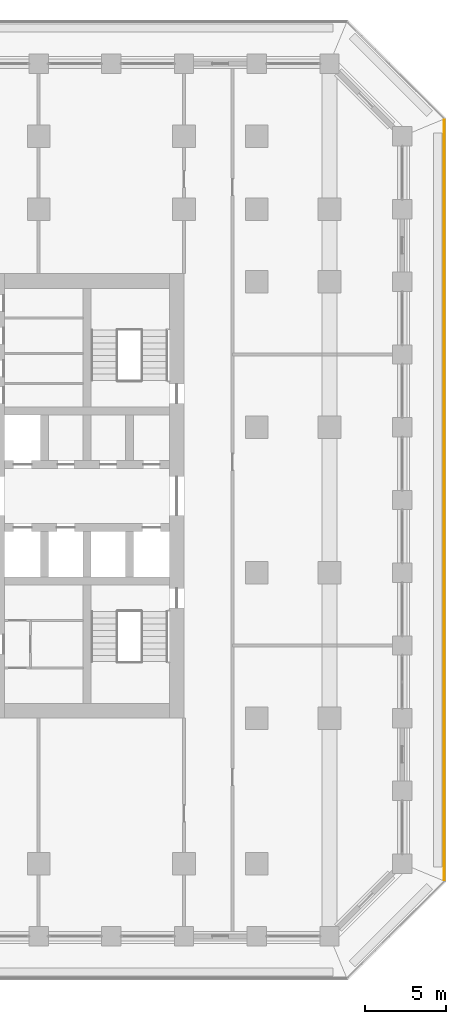
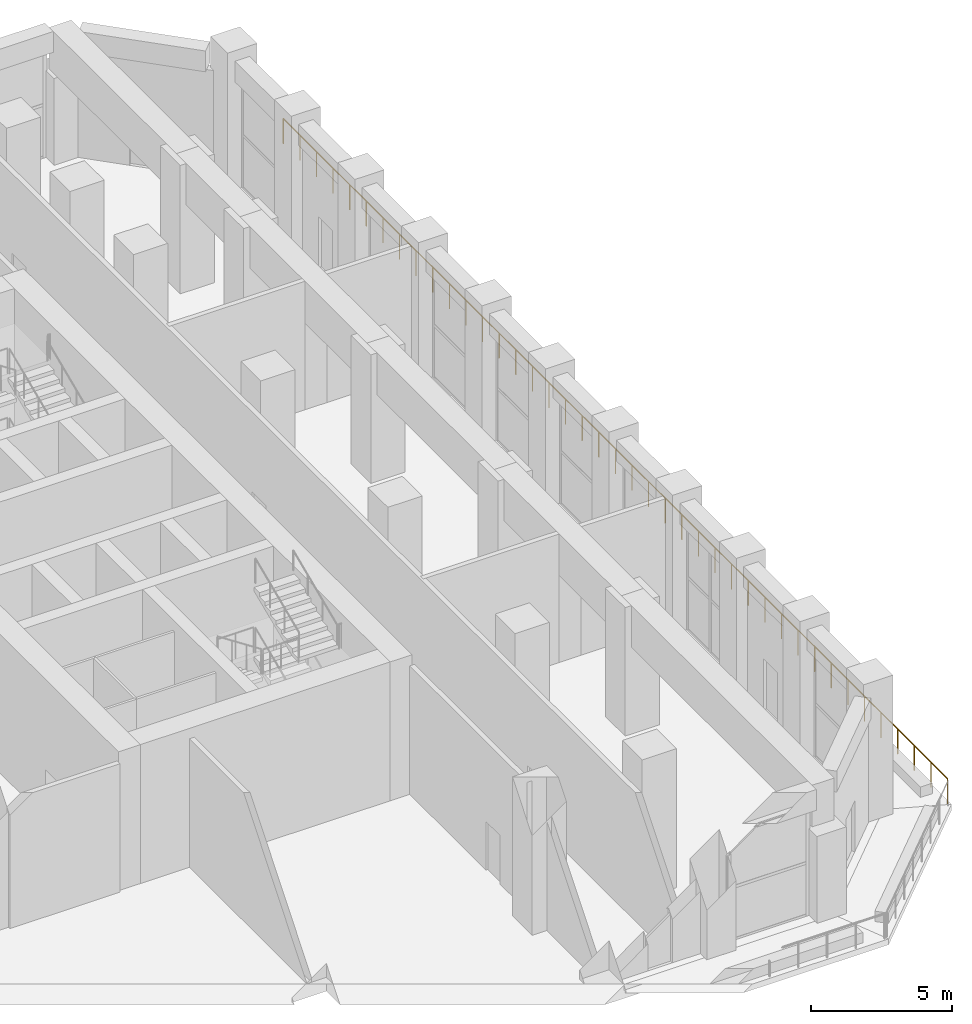
# One storey, part 20 of 24: 1 railing.
"""IFC4 building model written with IfcOpenShell, lengths in metres."""

from ifc_helpers import new_model, si_unit, direction, frame, origin, origin_2d, place, context, subcontext, project, spatial, circle, extrude, material, type_object, element, save


model = new_model("IFC4")

# Units and contexts
model_context = context("Model", 3, precision=1e-05, world=origin(), true_north=direction((0.0, 1.0)))
body_context = subcontext(model_context, "Body", "Model", "MODEL_VIEW")
ifc_project = project(units=[si_unit("LENGTHUNIT", "METRE"), si_unit("AREAUNIT", "SQUARE_METRE"), si_unit("VOLUMEUNIT", "CUBIC_METRE"), si_unit("PLANEANGLEUNIT", "RADIAN"), si_unit("MASSUNIT", "GRAM", prefix="KILO")], contexts=[model_context])

# Site, building, storey
site_placement = place(None, origin())
site = spatial("IfcSite", under=ifc_project, at=site_placement, CompositionType="ELEMENT")
building_placement = place(site_placement, origin())
building = spatial("IfcBuilding", under=site, at=building_placement, Name="Corbel Stack Research Tower", CompositionType="ELEMENT")
storey_placement = place(building_placement, frame((0.0, 0.0, 110.699951171875)))
storey = spatial("IfcBuildingStorey", under=building, at=storey_placement, Name="L25", CompositionType="ELEMENT", Elevation=110.699951171875)

# Railing
ifc_material = material(Name="Powder-coated steel guard", Category="steel")
railing_type = type_object("IfcRailingType", Name="Steel and glass guard 1100", PredefinedType="GUARDRAIL", material=ifc_material)
railing_placement = place(storey_placement, frame((34.10009765625, -19.00537109375, 0.0)))
element("IfcRailing", 1, at=railing_placement, inside=storey, type_object=railing_type, Name="Loggia guard L25 E", PredefinedType="GUARDRAIL", context=body_context, shape_type="SweptSolid", body=[
    extrude(circle(Radius=0.02392578125, at=origin_2d()), frame((0.0, 0.0, 1.076171875), z_axis=(0.0, 1.0, 0.0), x_axis=(-1.0, 0.0, 0.0)), (0.0, 0.0, 1.0), 47.0107421875),
    extrude(circle(Radius=0.02099609375, at=origin_2d()), origin(), (0.0, 0.0, 1.0), 1.052001953125),
    extrude(circle(Radius=0.02099609375, at=origin_2d()), frame((0.0, 1.17529296875, 0.0)), (0.0, 0.0, 1.0), 1.052001953125),
    extrude(circle(Radius=0.02099609375, at=origin_2d()), frame((0.0, 2.3505859375, 0.0)), (0.0, 0.0, 1.0), 1.052001953125),
    extrude(circle(Radius=0.02099609375, at=origin_2d()), frame((0.0, 3.52587890625, 0.0)), (0.0, 0.0, 1.0), 1.052001953125),
    extrude(circle(Radius=0.02099609375, at=origin_2d()), frame((0.0, 4.701171875, 0.0)), (0.0, 0.0, 1.0), 1.052001953125),
    extrude(circle(Radius=0.02099609375, at=origin_2d()), frame((0.0, 5.87646484375, 0.0)), (0.0, 0.0, 1.0), 1.052001953125),
    extrude(circle(Radius=0.02099609375, at=origin_2d()), frame((0.0, 7.051513671875, 0.0)), (0.0, 0.0, 1.0), 1.052001953125),
    extrude(circle(Radius=0.02099609375, at=origin_2d()), frame((0.0, 8.226806640625, 0.0)), (0.0, 0.0, 1.0), 1.052001953125),
    extrude(circle(Radius=0.02099609375, at=origin_2d()), frame((0.0, 9.402099609375, 0.0)), (0.0, 0.0, 1.0), 1.052001953125),
    extrude(circle(Radius=0.02099609375, at=origin_2d()), frame((0.0, 10.577392578125, 0.0)), (0.0, 0.0, 1.0), 1.052001953125),
    extrude(circle(Radius=0.02099609375, at=origin_2d()), frame((0.0, 11.752685546875, 0.0)), (0.0, 0.0, 1.0), 1.052001953125),
    extrude(circle(Radius=0.02099609375, at=origin_2d()), frame((0.0, 12.927978515625, 0.0)), (0.0, 0.0, 1.0), 1.052001953125),
    extrude(circle(Radius=0.02099609375, at=origin_2d()), frame((0.0, 14.103271484375, 0.0)), (0.0, 0.0, 1.0), 1.052001953125),
    extrude(circle(Radius=0.02099609375, at=origin_2d()), frame((0.0, 15.278564453125, 0.0)), (0.0, 0.0, 1.0), 1.052001953125),
    extrude(circle(Radius=0.02099609375, at=origin_2d()), frame((0.0, 16.453857421875, 0.0)), (0.0, 0.0, 1.0), 1.052001953125),
    extrude(circle(Radius=0.02099609375, at=origin_2d()), frame((0.0, 17.62890625, 0.0)), (0.0, 0.0, 1.0), 1.052001953125),
    extrude(circle(Radius=0.02099609375, at=origin_2d()), frame((0.0, 18.80419921875, 0.0)), (0.0, 0.0, 1.0), 1.052001953125),
    extrude(circle(Radius=0.02099609375, at=origin_2d()), frame((0.0, 19.9794921875, 0.0)), (0.0, 0.0, 1.0), 1.052001953125),
    extrude(circle(Radius=0.02099609375, at=origin_2d()), frame((0.0, 21.15478515625, 0.0)), (0.0, 0.0, 1.0), 1.052001953125),
    extrude(circle(Radius=0.02099609375, at=origin_2d()), frame((0.0, 22.330078125, 0.0)), (0.0, 0.0, 1.0), 1.052001953125),
    extrude(circle(Radius=0.02099609375, at=origin_2d()), frame((0.0, 23.50537109375, 0.0)), (0.0, 0.0, 1.0), 1.052001953125),
    extrude(circle(Radius=0.02099609375, at=origin_2d()), frame((0.0, 24.6806640625, 0.0)), (0.0, 0.0, 1.0), 1.052001953125),
    extrude(circle(Radius=0.02099609375, at=origin_2d()), frame((0.0, 25.85595703125, 0.0)), (0.0, 0.0, 1.0), 1.052001953125),
    extrude(circle(Radius=0.02099609375, at=origin_2d()), frame((0.0, 27.03125, 0.0)), (0.0, 0.0, 1.0), 1.052001953125),
    extrude(circle(Radius=0.02099609375, at=origin_2d()), frame((0.0, 28.20654296875, 0.0)), (0.0, 0.0, 1.0), 1.052001953125),
    extrude(circle(Radius=0.02099609375, at=origin_2d()), frame((0.0, 29.3818359375, 0.0)), (0.0, 0.0, 1.0), 1.052001953125),
    extrude(circle(Radius=0.02099609375, at=origin_2d()), frame((0.0, 30.556884765625, 0.0)), (0.0, 0.0, 1.0), 1.052001953125),
    extrude(circle(Radius=0.02099609375, at=origin_2d()), frame((0.0, 31.732177734375, 0.0)), (0.0, 0.0, 1.0), 1.052001953125),
    extrude(circle(Radius=0.02099609375, at=origin_2d()), frame((0.0, 32.907470703125, 0.0)), (0.0, 0.0, 1.0), 1.052001953125),
    extrude(circle(Radius=0.02099609375, at=origin_2d()), frame((0.0, 34.082763671875, 0.0)), (0.0, 0.0, 1.0), 1.052001953125),
    extrude(circle(Radius=0.02099609375, at=origin_2d()), frame((0.0, 35.258056640625, 0.0)), (0.0, 0.0, 1.0), 1.052001953125),
    extrude(circle(Radius=0.02099609375, at=origin_2d()), frame((0.0, 36.433349609375, 0.0)), (0.0, 0.0, 1.0), 1.052001953125),
    extrude(circle(Radius=0.02099609375, at=origin_2d()), frame((0.0, 37.608642578125, 0.0)), (0.0, 0.0, 1.0), 1.052001953125),
    extrude(circle(Radius=0.02099609375, at=origin_2d()), frame((0.0, 38.783935546875, 0.0)), (0.0, 0.0, 1.0), 1.052001953125),
    extrude(circle(Radius=0.02099609375, at=origin_2d()), frame((0.0, 39.959228515625, 0.0)), (0.0, 0.0, 1.0), 1.052001953125),
    extrude(circle(Radius=0.02099609375, at=origin_2d()), frame((0.0, 41.13427734375, 0.0)), (0.0, 0.0, 1.0), 1.052001953125),
    extrude(circle(Radius=0.02099609375, at=origin_2d()), frame((0.0, 42.3095703125, 0.0)), (0.0, 0.0, 1.0), 1.052001953125),
    extrude(circle(Radius=0.02099609375, at=origin_2d()), frame((0.0, 43.48486328125, 0.0)), (0.0, 0.0, 1.0), 1.052001953125),
    extrude(circle(Radius=0.02099609375, at=origin_2d()), frame((0.0, 44.66015625, 0.0)), (0.0, 0.0, 1.0), 1.052001953125),
    extrude(circle(Radius=0.02099609375, at=origin_2d()), frame((0.0, 45.83544921875, 0.0)), (0.0, 0.0, 1.0), 1.052001953125),
    extrude(circle(Radius=0.02099609375, at=origin_2d()), frame((0.0, 47.0107421875, 0.0)), (0.0, 0.0, 1.0), 1.052001953125),
])

save(model, "model.ifc")
